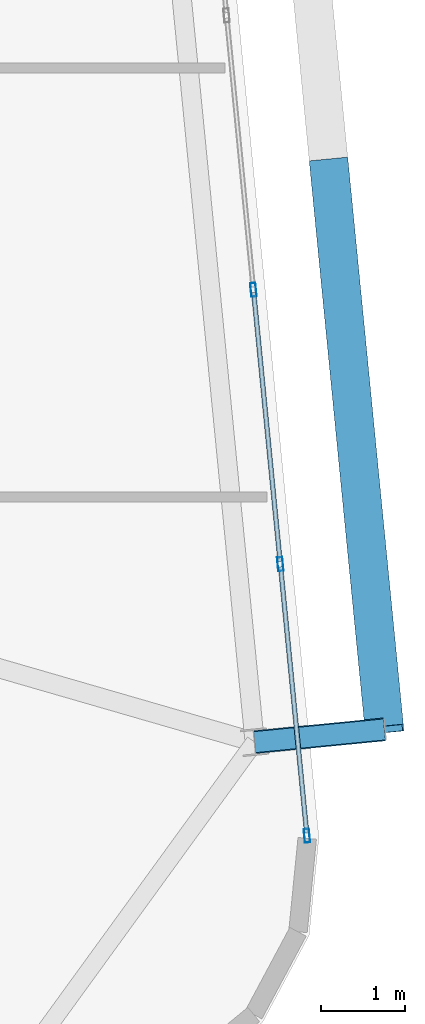
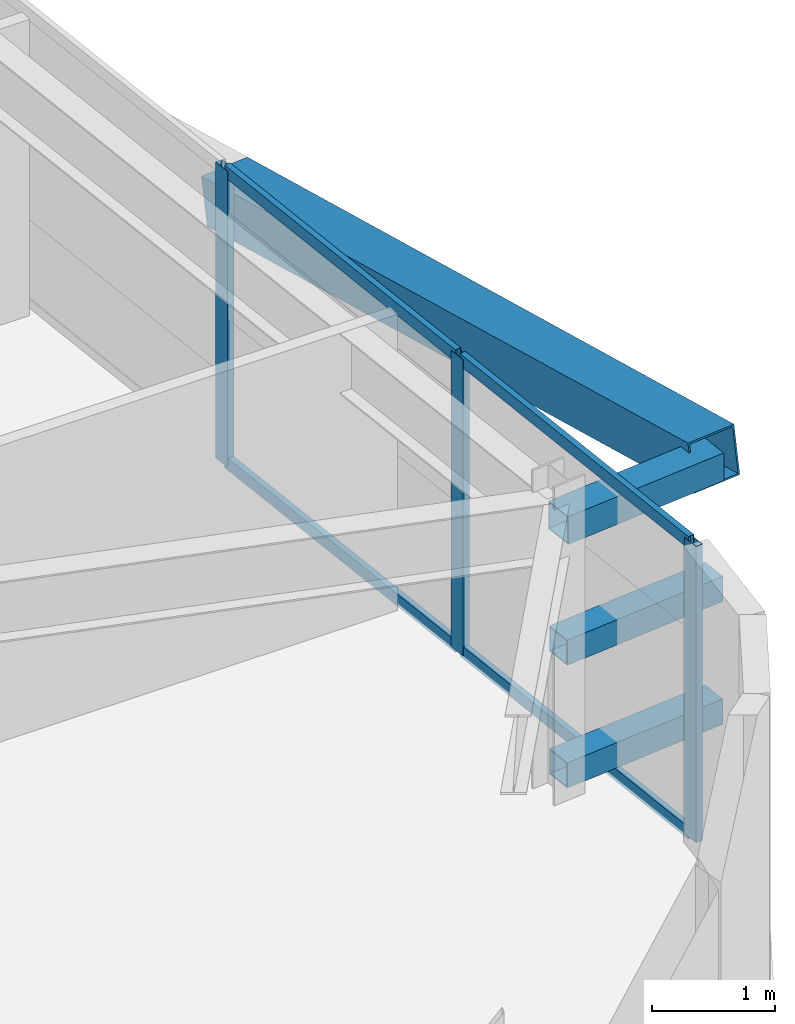
# One storey, part 22 of 53: 11 members, 1 element without a shape of its own.
"""IFC4 building model written with IfcOpenShell, lengths in metres."""

from ifc_helpers import new_model, si_unit, direction, frame, origin, origin_2d, place, context, subcontext, project, spatial, hollow_rectangle, extrude, source, transform, mapped, material, layer, layer_set, material_profile, profile_set, type_object, element, aggregate, save


model = new_model("IFC4")

# Units and contexts
model_context = context("Model", 3, precision=1e-05, world=origin(), true_north=direction((0.0, 1.0)))
body_context = subcontext(model_context, "Body", "Model", "MODEL_VIEW")
ifc_project = project(units=[si_unit("LENGTHUNIT", "METRE"), si_unit("AREAUNIT", "SQUARE_METRE"), si_unit("VOLUMEUNIT", "CUBIC_METRE"), si_unit("PLANEANGLEUNIT", "RADIAN"), si_unit("MASSUNIT", "GRAM", prefix="KILO")], contexts=[model_context])

# Site, building, storey
site_placement = place(None, origin())
site = spatial("IfcSite", under=ifc_project, at=site_placement, CompositionType="ELEMENT")
building_placement = place(site_placement, origin())
building = spatial("IfcBuilding", under=site, at=building_placement, Name="Taldren Reach Tower", CompositionType="ELEMENT")
storey_placement = place(building_placement, frame((0.0, 0.0, 71.39990234375)))
storey = spatial("IfcBuildingStorey", under=building, at=storey_placement, Name="L21", CompositionType="ELEMENT", Elevation=71.39990234375)

# Members
ifc_material_1 = material(Name="Steel Gr 450 (C450L0)", Category="steel")
ifc_material_profile_1 = material_profile(ifc_material_1, hollow_rectangle(XDim=0.27490234375, YDim=0.27490234375, WallThickness=0.00927734375, at=origin_2d()), Name="275x275x9.3SHS")
ifc_profile_set_1 = profile_set([ifc_material_profile_1], Name="Steel Gr 450 (C450L0)")
member_type_1 = type_object("IfcMemberType", Name="MB-TIE273", PredefinedType="STRUT", material=ifc_profile_set_1)
shared_shape_1 = source(origin(), body_context, "Body", "SweptSolid", [
    extrude(hollow_rectangle(XDim=0.27490234375, YDim=0.27490234375, WallThickness=0.00927734375, at=origin_2d()), origin(), (0.0, 0.0, 1.0), 1.550048828125),
])
member_1_placement = place(storey_placement, frame((65.8916015625, 8.483642578125, 2.650146484375), z_axis=(0.995236318924, 0.097491894511, 0.0), x_axis=(-0.097491894511, 0.995236318924, 0.0)))
element("IfcMember", 1, at=member_1_placement, inside=storey, type_object=member_type_1, Name="Exoskeleton diaphragm tie strut B2-E1 L21", PredefinedType="STRUT", context=body_context, shape_type="MappedRepresentation", body=[
    mapped(shared_shape_1, transform((0.0, 0.0, 0.0), scale=1.0)),
])
ifc_material_2 = material(Name="Steel Gr 350 (C350L0)", Category="steel")
ifc_material_profile_2 = material_profile(ifc_material_2, hollow_rectangle(XDim=0.25, YDim=0.25, WallThickness=0.010009765625, at=origin_2d()), Name="250x250x10.0SHS")
ifc_profile_set_2 = profile_set([ifc_material_profile_2], Name="Steel Gr 350 (C350L0)")
member_type_2 = type_object("IfcMemberType", Name="MB-POST250", PredefinedType="POST", material=ifc_profile_set_2)
shared_shape_2 = source(origin(), body_context, "Body", "SweptSolid", [
    extrude(hollow_rectangle(XDim=0.25, YDim=0.25, WallThickness=0.010009765625, at=origin_2d()), origin(), (0.0, 0.0, 1.0), 1.550048828125),
])
for number, where, z_axis, x_axis, name in (
    (2, (65.8916015625, 8.483642578125, 0.22021484375), (0.995236318924, 0.097491894511, 0.0), (-0.097491894511, 0.995236318924, 0.0), "Exoskeleton base diaphragm tie strut B2-E1 L21"),
    (3, (65.8916015625, 8.483642578125, 1.43505859375), (0.995236318924, 0.097491894511, 0.0), (-0.097491894511, 0.995236318924, 0.0), "Exoskeleton mid-tier diaphragm tie B2-E1 L21"),
):
    element("IfcMember", number, at=place(storey_placement, frame(where, z_axis=z_axis, x_axis=x_axis)), inside=storey, type_object=member_type_2, Name=name, PredefinedType="POST", context=body_context, shape_type="MappedRepresentation", body=[
        mapped(shared_shape_2, transform((0.0, 0.0, 0.0), scale=1.0)),
    ])
ifc_material_profile_3 = material_profile(ifc_material_1, hollow_rectangle(XDim=0.4599609375, YDim=0.4599609375, WallThickness=0.01611328125, at=origin_2d()), Name="460x460x16.0SHS")
ifc_profile_set_3 = profile_set([ifc_material_profile_3], Name="Steel Gr 450 (C450L0)")
member_type_3 = type_object("IfcMemberType", Name="MB-EXO457", PredefinedType="BRACE", material=ifc_profile_set_3)
shared_shape_3 = source(origin(), body_context, "Body", "SweptSolid", [
    extrude(hollow_rectangle(XDim=0.4599609375, YDim=0.4599609375, WallThickness=0.01611328125, at=origin_2d()), origin(), (0.0, 0.0, 1.0), 6.883056640625),
])
member_2_placement = place(storey_placement, frame((66.773193359375, 15.37744140625, 1.43505859375), z_axis=(0.09605145821, -0.97959718347, 0.176531797456), x_axis=(0.995227290009, 0.097584021339, 0.0)))
element("IfcMember", 4, at=member_2_placement, inside=storey, type_object=member_type_3, Name="Exoskeleton Diagrid Brace B2-E1 L21", PredefinedType="BRACE", context=body_context, shape_type="MappedRepresentation", body=[
    mapped(shared_shape_3, transform((0.0, 0.0, 0.0), scale=1.0)),
])

# Curtain wall, members
ifc_material_3 = material(Name="Aluminium and Low-E Glass Unitised System", Category="aluminium")
ifc_layer = layer(ifc_material_3, 0.159912109375)
ifc_layer_set = layer_set([ifc_layer], Name="Aluminium and Low-E Glass Unitised System")
curtain_wall_type = type_object("IfcCurtainWallType", Name="CW-SYS-3", PredefinedType="NOTDEFINED", material=ifc_layer_set)
curtain_wall_placement = place(storey_placement, origin())
curtain_wall = element("IfcCurtainWall", 5, at=curtain_wall_placement, inside=storey, type_object=curtain_wall_type, Name="Unitised curtain wall CW-L21-E", PredefinedType="NOTDEFINED")
ifc_material_4 = material(Name="Anodised Aluminium 6063-T6", Category="aluminium")
ifc_material_profile_4 = material_profile(ifc_material_4, hollow_rectangle(XDim=0.06494140625, YDim=0.1650390625, WallThickness=0.00390625, at=origin_2d()), Name="ALU-165x65x4RHS")
ifc_profile_set_4 = profile_set([ifc_material_profile_4], Name="Anodised Aluminium 6063-T6")
member_type_4 = type_object("IfcMemberType", Name="CW-MUL-165", PredefinedType="MULLION", material=ifc_profile_set_4)
shared_shape_4 = source(origin(), body_context, "Body", "SweptSolid", [
    extrude(hollow_rectangle(XDim=0.06494140625, YDim=0.1650390625, WallThickness=0.00390625, at=origin_2d()), origin(), (0.0, 0.0, 1.0), 2.93017578125),
])
member_3_placement = place(storey_placement, frame((66.51318359375, 7.371337890625, 0.0), z_axis=(0.0, 0.0, 1.0), x_axis=(-0.99522741555, -0.09758274098, 0.0)))
member_3 = element("IfcMember", 6, at=member_3_placement, type_object=member_type_4, Name="CW-3 mullion 1", PredefinedType="MULLION", context=body_context, shape_type="MappedRepresentation", body=[
    mapped(shared_shape_4, transform((0.0, 0.0, 0.0), scale=1.0)),
])
member_4_placement = place(storey_placement, frame((66.196533203125, 10.60107421875, 0.0), z_axis=(0.0, 0.0, 1.0), x_axis=(-0.99522741555, -0.09758274098, 0.0)))
member_4 = element("IfcMember", 7, at=member_4_placement, type_object=member_type_4, Name="CW-3 mullion 2", PredefinedType="MULLION", context=body_context, shape_type="MappedRepresentation", body=[
    mapped(shared_shape_4, transform((0.0, 0.0, 0.0), scale=1.0)),
])
member_5_placement = place(storey_placement, frame((65.876708984375, 13.86328125, 0.0), z_axis=(0.0, 0.0, 1.0), x_axis=(-0.99522741555, -0.09758274098, 0.0)))
member_5 = element("IfcMember", 8, at=member_5_placement, type_object=member_type_4, Name="CW-3 mullion 3", PredefinedType="MULLION", context=body_context, shape_type="MappedRepresentation", body=[
    mapped(shared_shape_4, transform((0.0, 0.0, 0.0), scale=1.0)),
])
ifc_material_profile_5 = material_profile(ifc_material_4, hollow_rectangle(XDim=0.054931640625, YDim=0.1201171875, WallThickness=0.0029296875, at=origin_2d()), Name="ALU-120x55x3RHS")
ifc_profile_set_5 = profile_set([ifc_material_profile_5], Name="Anodised Aluminium 6063-T6")
member_type_5 = type_object("IfcMemberType", Name="CW-TRN-135", PredefinedType="USERDEFINED", material=ifc_profile_set_5)
shared_shape_5 = source(origin(), body_context, "Body", "SweptSolid", [
    extrude(hollow_rectangle(XDim=0.054931640625, YDim=0.1201171875, WallThickness=0.0029296875, at=origin_2d()), origin(), (0.0, 0.0, 1.0), 3.18017578125),
])
member_6_placement = place(storey_placement, frame((66.510009765625, 7.40380859375, 0.027587890625), z_axis=(-0.097572914968, 0.995228378949, 0.0), x_axis=(-0.995228378949, -0.097572914968, 0.0)))
member_6 = element("IfcMember", 9, at=member_6_placement, type_object=member_type_5, Name="CW-3 transom 1.1", ObjectType="TRANSOM", PredefinedType="USERDEFINED", context=body_context, shape_type="MappedRepresentation", body=[
    mapped(shared_shape_5, transform((0.0, 0.0, 0.0), scale=1.0)),
])
member_7_placement = place(storey_placement, frame((66.510009765625, 7.40380859375, 2.902587890625), z_axis=(-0.097572914968, 0.995228378949, 0.0), x_axis=(-0.995228378949, -0.097572914968, 0.0)))
member_7 = element("IfcMember", 10, at=member_7_placement, type_object=member_type_5, Name="CW-3 transom 1.2", ObjectType="TRANSOM", PredefinedType="USERDEFINED", context=body_context, shape_type="MappedRepresentation", body=[
    mapped(shared_shape_5, transform((0.0, 0.0, 0.0), scale=1.0)),
])
shared_shape_6 = source(origin(), body_context, "Body", "SweptSolid", [
    extrude(hollow_rectangle(XDim=0.054931640625, YDim=0.1201171875, WallThickness=0.0029296875, at=origin_2d()), origin(), (0.0, 0.0, 1.0), 3.212890625),
])
member_8_placement = place(storey_placement, frame((66.193359375, 10.633544921875, 0.027587890625), z_axis=(-0.097569948235, 0.995228669805, 0.0), x_axis=(-0.995228669805, -0.097569948235, 0.0)))
member_8 = element("IfcMember", 11, at=member_8_placement, type_object=member_type_5, Name="CW-3 transom 2.1", ObjectType="TRANSOM", PredefinedType="USERDEFINED", context=body_context, shape_type="MappedRepresentation", body=[
    mapped(shared_shape_6, transform((0.0, 0.0, 0.0), scale=1.0)),
])
member_9_placement = place(storey_placement, frame((66.193359375, 10.633544921875, 2.902587890625), z_axis=(-0.097569948235, 0.995228669805, 0.0), x_axis=(-0.995228669805, -0.097569948235, 0.0)))
member_9 = element("IfcMember", 12, at=member_9_placement, type_object=member_type_5, Name="CW-3 transom 2.2", ObjectType="TRANSOM", PredefinedType="USERDEFINED", context=body_context, shape_type="MappedRepresentation", body=[
    mapped(shared_shape_6, transform((0.0, 0.0, 0.0), scale=1.0)),
])
aggregate(curtain_wall, [member_3, member_4, member_5, member_6, member_7, member_8, member_9])

save(model, "model.ifc")
